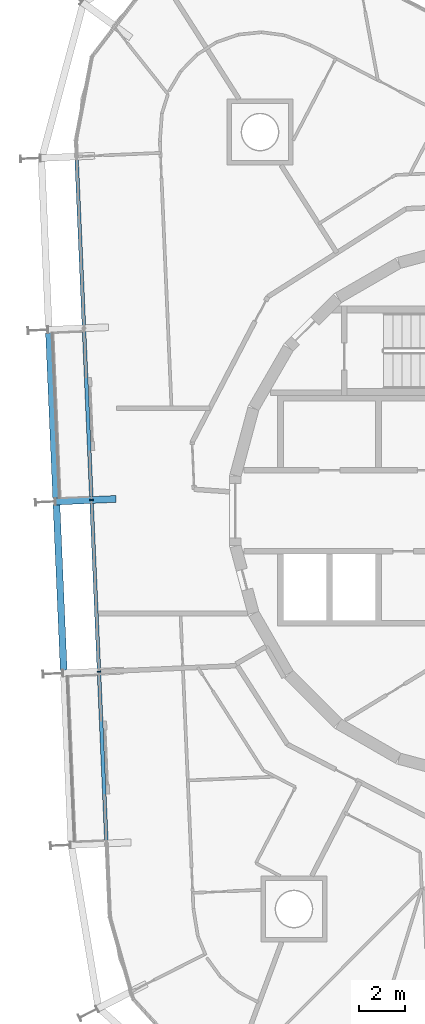
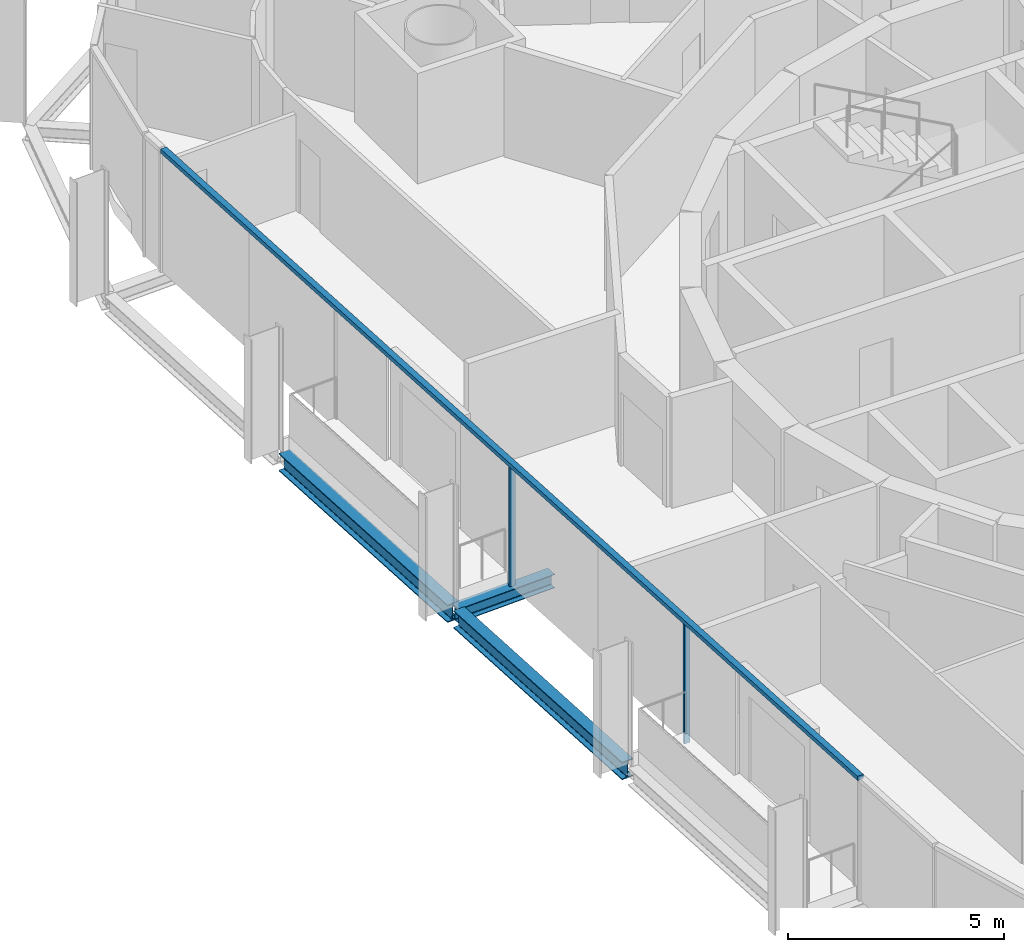
# One storey, part 4 of 17: 3 beams, 3 members, 1 element without a shape of its own.
"""IFC4 building model written with IfcOpenShell, lengths in metres."""

from ifc_helpers import new_model, si_unit, direction, frame, origin, origin_2d, place, context, subcontext, project, spatial, rectangle, i_section, extrude, material, layer, layer_set, material_profile, profile_set, type_object, element, aggregate, save


model = new_model("IFC4")

# Units and contexts
model_context = context("Model", 3, precision=1e-05, world=origin(), true_north=direction((0.0, 1.0)))
body_context = subcontext(model_context, "Body", "Model", "MODEL_VIEW")
ifc_project = project(units=[si_unit("LENGTHUNIT", "METRE"), si_unit("AREAUNIT", "SQUARE_METRE"), si_unit("VOLUMEUNIT", "CUBIC_METRE"), si_unit("PLANEANGLEUNIT", "RADIAN"), si_unit("MASSUNIT", "GRAM", prefix="KILO")], contexts=[model_context])

# Site, building, storey
site_placement = place(None, origin())
site = spatial("IfcSite", under=ifc_project, at=site_placement, CompositionType="ELEMENT")
building_placement = place(site_placement, origin())
building = spatial("IfcBuilding", under=site, at=building_placement, Name="Spindle Arch Residences", CompositionType="ELEMENT")
storey_placement = place(building_placement, frame((0.0, 0.0, 237.199951171875)))
storey = spatial("IfcBuildingStorey", under=building, at=storey_placement, Name="L60", CompositionType="ELEMENT", Elevation=237.199951171875)

# Curtain wall, members
ifc_material_1 = material(Name="Aluminium bronze unitised frame with tinted glass", Category="aluminium")
ifc_layer = layer(ifc_material_1, 0.159912109375)
ifc_layer_set = layer_set([ifc_layer], Name="CW-C typical residential unitised wall")
curtain_wall_type = type_object("IfcCurtainWallType", Name="CW-C typical residential unitised wall", PredefinedType="NOTDEFINED", material=ifc_layer_set)
curtain_wall_placement = place(storey_placement, origin())
curtain_wall = element("IfcCurtainWall", 1, at=curtain_wall_placement, inside=storey, type_object=curtain_wall_type, Name="CW-C L60 run 4", PredefinedType="NOTDEFINED")
ifc_material_2 = material(Name="Aluminium bronze anodised mullion", Category="aluminium")
ifc_material_profile_1 = material_profile(ifc_material_2, rectangle(XDim=0.159912109375, YDim=0.06005859375, at=origin_2d()), Name="MU 60x160")
ifc_profile_set_1 = profile_set([ifc_material_profile_1], Name="Aluminium bronze anodised mullion")
member_type_1 = type_object("IfcMemberType", Name="Bronze mullion 60x160", PredefinedType="MULLION", material=ifc_profile_set_1)
member_1_placement = place(storey_placement, frame((-17.9521484375, 0.472412109375, -0.3798828125), z_axis=(0.0, 0.0, 1.0), x_axis=(0.999048221582, 0.043619387365, 0.0)))
member_1 = element("IfcMember", 2, at=member_1_placement, type_object=member_type_1, Name="CW-C mullion 14", PredefinedType="MULLION", context=body_context, shape_type="SweptSolid", body=[
    extrude(rectangle(XDim=0.159912109375, YDim=0.06005859375, at=origin_2d()), origin(), (0.0, 0.0, 1.0), 3.3798828125),
])
member_2_placement = place(storey_placement, frame((-17.62353515625, -7.050537109375, -0.3798828125), z_axis=(0.0, 0.0, 1.0), x_axis=(0.999048221582, 0.043619387365, 0.0)))
member_2 = element("IfcMember", 3, at=member_2_placement, type_object=member_type_1, Name="CW-C mullion 15", PredefinedType="MULLION", context=body_context, shape_type="SweptSolid", body=[
    extrude(rectangle(XDim=0.159912109375, YDim=0.06005859375, at=origin_2d()), origin(), (0.0, 0.0, 1.0), 3.3798828125),
])
ifc_material_3 = material(Name="Aluminium bronze anodised transom", Category="aluminium")
ifc_material_profile_2 = material_profile(ifc_material_3, rectangle(XDim=0.159912109375, YDim=0.1201171875, at=origin_2d()), Name="TR 120x160")
ifc_profile_set_2 = profile_set([ifc_material_profile_2], Name="Aluminium bronze anodised transom")
member_type_2 = type_object("IfcMemberType", Name="Bronze transom 120x160", PredefinedType="USERDEFINED", material=ifc_profile_set_2)
member_3_placement = place(storey_placement, frame((-18.607666015625, 15.48828125, 3.06005859375), z_axis=(0.043621555075, -0.999048126935, 0.0), x_axis=(0.999048126935, 0.043621555075, 0.0)))
member_3 = element("IfcMember", 4, at=member_3_placement, type_object=member_type_2, Name="CW-C transom 00", ObjectType="TRANSOM", PredefinedType="USERDEFINED", context=body_context, shape_type="SweptSolid", body=[
    extrude(rectangle(XDim=0.159912109375, YDim=0.1201171875, at=origin_2d()), origin(), (0.0, 0.0, 1.0), 30.060302734375),
])
aggregate(curtain_wall, [member_3, member_1, member_2])

# Beams
ifc_material_4 = material(Name="Steel S460ML, intumescent coating R 120", Category="steel")
ifc_material_profile_3 = material_profile(ifc_material_4, i_section(OverallWidth=0.300048828125, OverallDepth=0.5, WebThickness=0.014404296875, FlangeThickness=0.028076171875, FilletRadius=0.027099609375, at=origin_2d()), Name="HEB 500")
ifc_profile_set_3 = profile_set([ifc_material_profile_3], Name="Steel S460ML, intumescent coating R 120")
beam_type_1 = type_object("IfcBeamType", Name="Exoskeleton edge beam HEB 500", PredefinedType="BEAM", material=ifc_profile_set_3)
for number, where, z_axis, x_axis, name in (
    (5, (-19.8134765625, 7.79833984375, -0.6298828125), (0.043655819138, -0.999046630271, 0.0), (0.999046630271, 0.043655819138, 0.0), "Exoskeleton edge beam 14"),
    (6, (-19.48486328125, 0.275390625, -0.6298828125), (0.043622301665, -0.999048094337, 0.0), (0.999048094337, 0.043622301665, 0.0), "Exoskeleton edge beam 15"),
):
    element("IfcBeam", number, at=place(storey_placement, frame(where, z_axis=z_axis, x_axis=x_axis)), inside=storey, type_object=beam_type_1, Name=name, PredefinedType="BEAM", context=body_context, shape_type="SweptSolid", body=[
        extrude(i_section(OverallWidth=0.300048828125, OverallDepth=0.5, WebThickness=0.014404296875, FlangeThickness=0.028076171875, FilletRadius=0.027099609375, at=origin_2d()), origin(), (0.0, 0.0, 1.0), 7.27001953125),
    ])
ifc_material_5 = material(Name="Steel S460ML, intumescent coating R 120", Category="steel")
ifc_material_profile_4 = material_profile(ifc_material_5, i_section(OverallWidth=0.300048828125, OverallDepth=0.389892578125, WebThickness=0.010986328125, FlangeThickness=0.01904296875, FilletRadius=0.027099609375, at=origin_2d()), Name="HEA 400")
ifc_profile_set_4 = profile_set([ifc_material_profile_4], Name="Steel S460ML, intumescent coating R 120")
beam_type_2 = type_object("IfcBeamType", Name="Floor outrigger HEA 400", PredefinedType="BEAM", material=ifc_profile_set_4)
beam_placement = place(storey_placement, frame((-19.5205078125, 0.40380859375, -0.574951171875), z_axis=(0.999046049411, 0.043669109869, 0.0), x_axis=(-0.043669109869, 0.999046049411, 0.0)))
element("IfcBeam", 7, at=beam_placement, inside=storey, type_object=beam_type_2, Name="Floor outrigger 15", PredefinedType="BEAM", context=body_context, shape_type="SweptSolid", body=[
    extrude(i_section(OverallWidth=0.300048828125, OverallDepth=0.389892578125, WebThickness=0.010986328125, FlangeThickness=0.01904296875, FilletRadius=0.027099609375, at=origin_2d()), origin(), (0.0, 0.0, 1.0), 2.64990234375),
])

save(model, "model.ifc")
